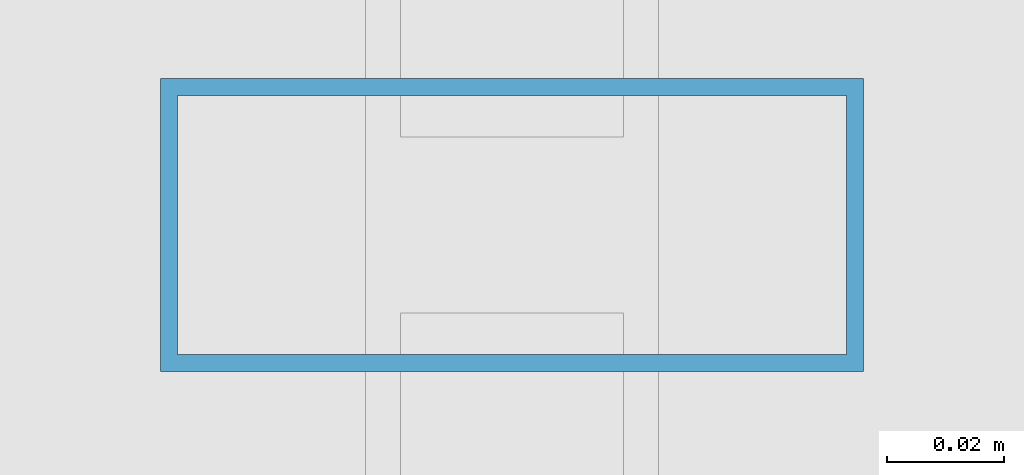
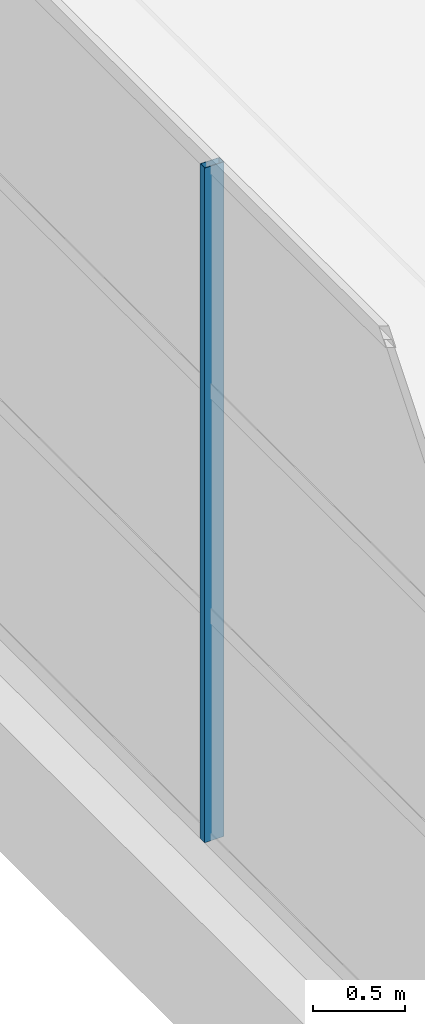
# One storey, part 56 of 112: 1 member, 1 element without a shape of its own.
"""IFC4 building model written with IfcOpenShell, lengths in metres."""

from ifc_helpers import new_model, si_unit, direction, frame, origin, origin_2d, place, context, subcontext, project, spatial, hollow_rectangle, extrude, material, material_profile, profile_set, type_object, element, aggregate, save


model = new_model("IFC4")

# Units and contexts
model_context = context("Model", 3, precision=1e-05, world=origin(), true_north=direction((0.0, 1.0)))
body_context = subcontext(model_context, "Body", "Model", "MODEL_VIEW")
ifc_project = project(units=[si_unit("LENGTHUNIT", "METRE"), si_unit("AREAUNIT", "SQUARE_METRE"), si_unit("VOLUMEUNIT", "CUBIC_METRE"), si_unit("PLANEANGLEUNIT", "RADIAN"), si_unit("MASSUNIT", "GRAM", prefix="KILO")], contexts=[model_context])

# Site, building, storey
site_placement = place(None, origin())
site = spatial("IfcSite", under=ifc_project, at=site_placement, CompositionType="ELEMENT")
building_placement = place(site_placement, origin())
building = spatial("IfcBuilding", under=site, at=building_placement, Name="Solvikara Media Centre", CompositionType="ELEMENT")
storey_placement = place(building_placement, frame((0.0, 0.0, 5.39990234375)))
storey = spatial("IfcBuildingStorey", under=building, at=storey_placement, Name="L01", CompositionType="ELEMENT", Elevation=5.39990234375)

# Curtain wall, member
ifc_material = material(Name="Anodised aluminium EN AW-6063", Category="aluminium")
curtain_wall_type = type_object("IfcCurtainWallType", Name="CW-12", PredefinedType="NOTDEFINED", material=ifc_material)
curtain_wall_placement = place(storey_placement, origin())
curtain_wall = element("IfcCurtainWall", 1, at=curtain_wall_placement, inside=storey, type_object=curtain_wall_type, Name="CW-L01-V2W-S5", PredefinedType="NOTDEFINED")
ifc_material_profile = material_profile(ifc_material, hollow_rectangle(XDim=0.050048828125, YDim=0.1201171875, WallThickness=0.0029296875, at=origin_2d()), Name="ALU-M 50x120x3")
ifc_profile_set = profile_set([ifc_material_profile], Name="Anodised aluminium EN AW-6063")
member_type = type_object("IfcMemberType", Name="MF-06", PredefinedType="MULLION", material=ifc_profile_set)
member_placement = place(storey_placement, frame((127.5, 95.25, 0.02001953125), z_axis=(0.0, 0.0, 1.0), x_axis=(0.0, 1.0, 0.0)))
member = element("IfcMember", 2, at=member_placement, type_object=member_type, Name="CW-L01-V2W-S5-M01", PredefinedType="MULLION", context=body_context, shape_type="SweptSolid", body=[
    extrude(hollow_rectangle(XDim=0.050048828125, YDim=0.1201171875, WallThickness=0.0029296875, at=origin_2d()), origin(), (0.0, 0.0, 1.0), 4.4599609375),
])
aggregate(curtain_wall, [member])

save(model, "model.ifc")
